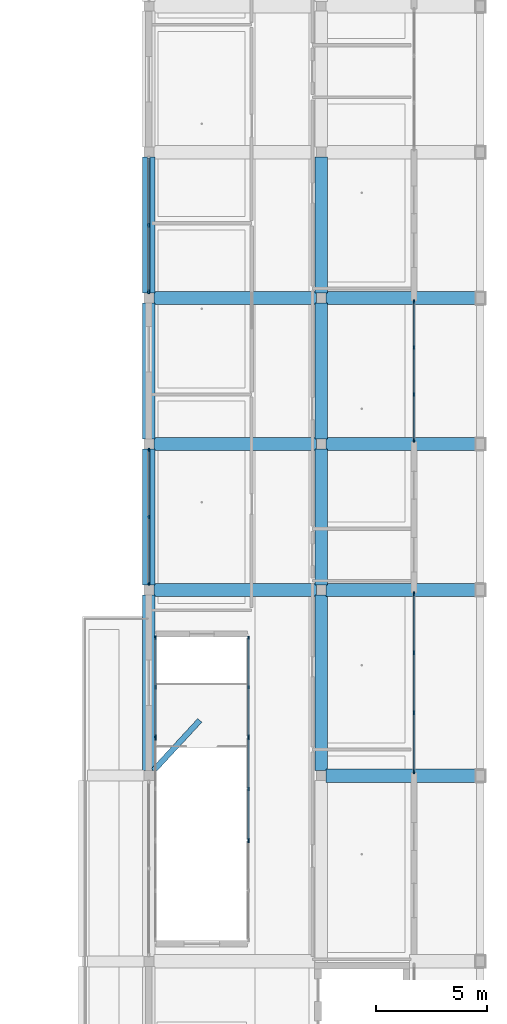
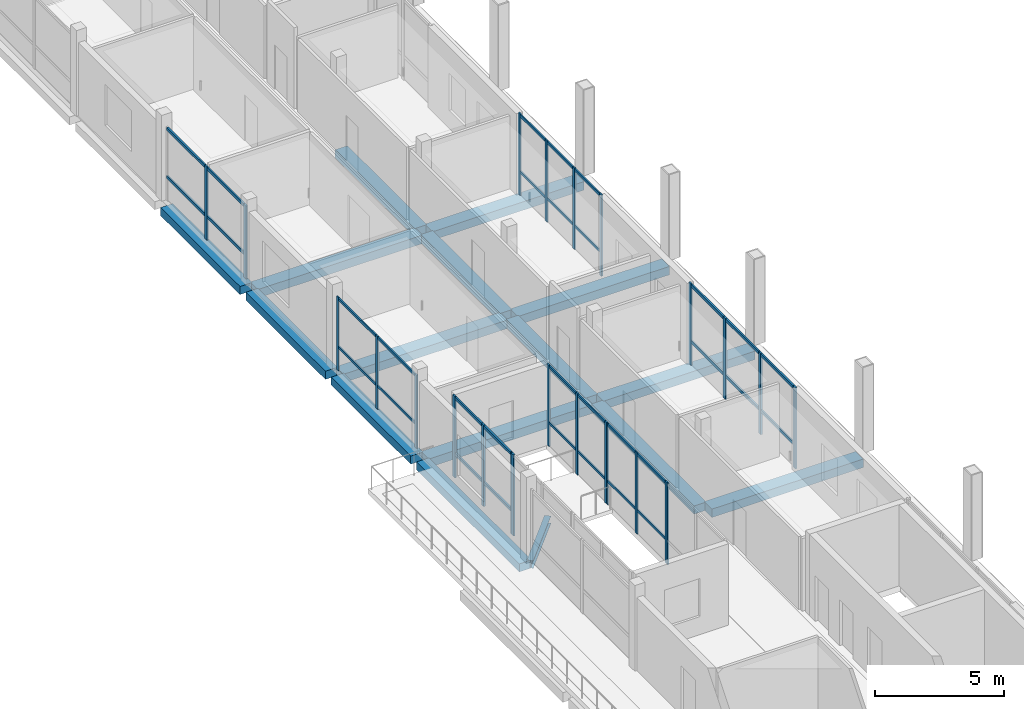
# One storey, part 13 of 48: 38 members, 16 beams, 9 elements without a shape of their own.
"""IFC4 building model written with IfcOpenShell, lengths in metres."""

from ifc_helpers import new_model, si_unit, derived_unit, direction, frame, origin, origin_2d, place, context, subcontext, project, spatial, rectangle, i_section, extrude, material, material_profile, profile_set, type_object, element, aggregate, save


model = new_model("IFC4")

# Units and contexts
model_context = context("Model", 3, precision=1e-05, world=origin(), true_north=direction((0.0, 1.0)))
body_context = subcontext(model_context, "Body", "Model", "MODEL_VIEW")
ifc_project = project(units=[si_unit("LENGTHUNIT", "METRE"), si_unit("AREAUNIT", "SQUARE_METRE"), si_unit("VOLUMEUNIT", "CUBIC_METRE"), si_unit("PLANEANGLEUNIT", "RADIAN"), si_unit("MASSUNIT", "GRAM", prefix="KILO"), derived_unit("THERMALTRANSMITTANCEUNIT", [(si_unit("POWERUNIT", "WATT"), 1), (si_unit("LENGTHUNIT", "METRE"), -2), (si_unit("THERMODYNAMICTEMPERATUREUNIT", "KELVIN"), -1)])], contexts=[model_context])

# Site, building, storey
site_placement = place(None, origin())
site = spatial("IfcSite", under=ifc_project, at=site_placement, CompositionType="ELEMENT")
building_placement = place(site_placement, origin())
building = spatial("IfcBuilding", under=site, at=building_placement, Name="Braskholm Square Health Centre", CompositionType="ELEMENT")
storey_placement = place(building_placement, frame((0.0, 0.0, 17.550048828125)))
storey = spatial("IfcBuildingStorey", under=building, at=storey_placement, Name="L05", CompositionType="ELEMENT", Elevation=17.550048828125)

# Curtain wall, members
ifc_material_1 = material(Name="Low-E triple insulating glass (VLT 0.64)", Category="glass")
curtain_wall_type_1 = type_object("IfcCurtainWallType", Name="UnitisedCurtainWall6200x3800", PredefinedType="NOTDEFINED", material=ifc_material_1)
curtain_wall_1_placement = place(storey_placement, origin())
curtain_wall_1 = element("IfcCurtainWall", 1, at=curtain_wall_1_placement, inside=storey, type_object=curtain_wall_type_1, Name="East Crown unitised curtain wall CW-L05-0082", PredefinedType="NOTDEFINED")
ifc_material_2 = material(Name="Architectural bronze anodised aluminium", Category="aluminium")
ifc_material_profile_1 = material_profile(ifc_material_2, rectangle(XDim=0.06494140625, YDim=0.14990234375, at=origin_2d()), Name="ALU-65X150")
ifc_profile_set_1 = profile_set([ifc_material_profile_1], Name="Architectural bronze anodised aluminium")
member_type_1 = type_object("IfcMemberType", Name="CurtainWallMullion65x150", PredefinedType="MULLION", material=ifc_profile_set_1)
member_1_placement = place(storey_placement, frame((160.800048828125, 87.358154296875, 0.0), z_axis=(0.0, 0.0, 1.0), x_axis=(1.0, 0.0, 0.0)))
member_1 = element("IfcMember", 2, at=member_1_placement, type_object=member_type_1, Name="CW-L05-0082 vertical mullion 1", PredefinedType="MULLION", context=body_context, shape_type="SweptSolid", body=[
    extrude(rectangle(XDim=0.06494140625, YDim=0.14990234375, at=origin_2d()), origin(), (0.0, 0.0, 1.0), 3.83984375),
])
member_2_placement = place(storey_placement, frame((160.800048828125, 89.43994140625, 0.0), z_axis=(0.0, 0.0, 1.0), x_axis=(1.0, 0.0, 0.0)))
member_2 = element("IfcMember", 3, at=member_2_placement, type_object=member_type_1, Name="CW-L05-0082 vertical mullion 2", PredefinedType="MULLION", context=body_context, shape_type="SweptSolid", body=[
    extrude(rectangle(XDim=0.06494140625, YDim=0.14990234375, at=origin_2d()), origin(), (0.0, 0.0, 1.0), 3.83984375),
])
member_3_placement = place(storey_placement, frame((160.800048828125, 91.56005859375, 0.0), z_axis=(0.0, 0.0, 1.0), x_axis=(1.0, 0.0, 0.0)))
member_3 = element("IfcMember", 4, at=member_3_placement, type_object=member_type_1, Name="CW-L05-0082 vertical mullion 3", PredefinedType="MULLION", context=body_context, shape_type="SweptSolid", body=[
    extrude(rectangle(XDim=0.06494140625, YDim=0.14990234375, at=origin_2d()), origin(), (0.0, 0.0, 1.0), 3.83984375),
])
member_4_placement = place(storey_placement, frame((160.800048828125, 93.641845703125, 0.0), z_axis=(0.0, 0.0, 1.0), x_axis=(1.0, 0.0, 0.0)))
member_4 = element("IfcMember", 5, at=member_4_placement, type_object=member_type_1, Name="CW-L05-0082 vertical mullion 4", PredefinedType="MULLION", context=body_context, shape_type="SweptSolid", body=[
    extrude(rectangle(XDim=0.06494140625, YDim=0.14990234375, at=origin_2d()), origin(), (0.0, 0.0, 1.0), 3.83984375),
])

curtain_wall_type_2 = type_object("IfcCurtainWallType", Name="UnitisedCurtainWall6200x3650", PredefinedType="NOTDEFINED", material=ifc_material_1)
curtain_wall_2_placement = place(storey_placement, origin())
curtain_wall_2 = element("IfcCurtainWall", 6, at=curtain_wall_2_placement, inside=storey, type_object=curtain_wall_type_2, Name="East Valley unitised curtain wall CW-L05-0142", PredefinedType="NOTDEFINED")
member_5_placement = place(storey_placement, frame((148.800048828125, 86.92333984375, 0.0), z_axis=(0.0, 0.0, 1.0), x_axis=(1.0, 0.0, 0.0)))
member_5 = element("IfcMember", 7, at=member_5_placement, type_object=member_type_1, Name="CW-L05-0142 vertical mullion 1", PredefinedType="MULLION", context=body_context, shape_type="SweptSolid", body=[
    extrude(rectangle(XDim=0.06494140625, YDim=0.14990234375, at=origin_2d()), origin(), (0.0, 0.0, 1.0), 3.4599609375),
])
member_6_placement = place(storey_placement, frame((148.800048828125, 83.89990234375, 0.0), z_axis=(0.0, 0.0, 1.0), x_axis=(1.0, 0.0, 0.0)))
member_6 = element("IfcMember", 8, at=member_6_placement, type_object=member_type_1, Name="CW-L05-0142 vertical mullion 2", PredefinedType="MULLION", context=body_context, shape_type="SweptSolid", body=[
    extrude(rectangle(XDim=0.06494140625, YDim=0.14990234375, at=origin_2d()), origin(), (0.0, 0.0, 1.0), 3.4599609375),
])
member_7_placement = place(storey_placement, frame((148.800048828125, 80.876708984375, 0.0), z_axis=(0.0, 0.0, 1.0), x_axis=(1.0, 0.0, 0.0)))
member_7 = element("IfcMember", 9, at=member_7_placement, type_object=member_type_1, Name="CW-L05-0142 vertical mullion 3", PredefinedType="MULLION", context=body_context, shape_type="SweptSolid", body=[
    extrude(rectangle(XDim=0.06494140625, YDim=0.14990234375, at=origin_2d()), origin(), (0.0, 0.0, 1.0), 3.4599609375),
])

# Curtain wall, member
curtain_wall_type_3 = type_object("IfcCurtainWallType", Name="UnitisedCurtainWall4800x3800", PredefinedType="NOTDEFINED", material=ifc_material_1)
curtain_wall_3_placement = place(storey_placement, origin())
curtain_wall_3 = element("IfcCurtainWall", 10, at=curtain_wall_3_placement, inside=storey, type_object=curtain_wall_type_3, Name="EC2 Court E unitised curtain wall CW-L05-0376", PredefinedType="NOTDEFINED")
member_8_placement = place(storey_placement, frame((153.300048828125, 69.23486328125, 0.0), z_axis=(0.0, 0.0, 1.0), x_axis=(1.0, 0.0, 0.0)))
member_8 = element("IfcMember", 11, at=member_8_placement, type_object=member_type_1, Name="CW-L05-0376 vertical mullion 1", PredefinedType="MULLION", context=body_context, shape_type="SweptSolid", body=[
    extrude(rectangle(XDim=0.06494140625, YDim=0.14990234375, at=origin_2d()), origin(), (0.0, 0.0, 1.0), 3.83984375),
])
aggregate(curtain_wall_3, [member_8])

# Curtain wall, members
curtain_wall_4_placement = place(storey_placement, origin())
curtain_wall_4 = element("IfcCurtainWall", 12, at=curtain_wall_4_placement, inside=storey, type_object=curtain_wall_type_3, Name="EC2 Court E unitised curtain wall CW-L05-0378", PredefinedType="NOTDEFINED")
member_9_placement = place(storey_placement, frame((153.300048828125, 73.900146484375, 0.0), z_axis=(0.0, 0.0, 1.0), x_axis=(1.0, 0.0, 0.0)))
member_9 = element("IfcMember", 13, at=member_9_placement, type_object=member_type_1, Name="CW-L05-0378 vertical mullion 1", PredefinedType="MULLION", context=body_context, shape_type="SweptSolid", body=[
    extrude(rectangle(XDim=0.06494140625, YDim=0.14990234375, at=origin_2d()), origin(), (0.0, 0.0, 1.0), 3.83984375),
])
member_10_placement = place(storey_placement, frame((153.300048828125, 71.60009765625, 0.0), z_axis=(0.0, 0.0, 1.0), x_axis=(1.0, 0.0, 0.0)))
member_10 = element("IfcMember", 14, at=member_10_placement, type_object=member_type_1, Name="CW-L05-0378 vertical mullion 2", PredefinedType="MULLION", context=body_context, shape_type="SweptSolid", body=[
    extrude(rectangle(XDim=0.06494140625, YDim=0.14990234375, at=origin_2d()), origin(), (0.0, 0.0, 1.0), 3.83984375),
])
member_11_placement = place(storey_placement, frame((153.300048828125, 69.2998046875, 0.0), z_axis=(0.0, 0.0, 1.0), x_axis=(1.0, 0.0, 0.0)))
member_11 = element("IfcMember", 15, at=member_11_placement, type_object=member_type_1, Name="CW-L05-0378 vertical mullion 3", PredefinedType="MULLION", context=body_context, shape_type="SweptSolid", body=[
    extrude(rectangle(XDim=0.06494140625, YDim=0.14990234375, at=origin_2d()), origin(), (0.0, 0.0, 1.0), 3.83984375),
])

curtain_wall_5_placement = place(storey_placement, origin())
curtain_wall_5 = element("IfcCurtainWall", 16, at=curtain_wall_5_placement, inside=storey, type_object=curtain_wall_type_3, Name="EC2 Court E unitised curtain wall CW-L05-0380", PredefinedType="NOTDEFINED")
member_12_placement = place(storey_placement, frame((153.300048828125, 78.432861328125, 0.0), z_axis=(0.0, 0.0, 1.0), x_axis=(1.0, 0.0, 0.0)))
member_12 = element("IfcMember", 17, at=member_12_placement, type_object=member_type_1, Name="CW-L05-0380 vertical mullion 1", PredefinedType="MULLION", context=body_context, shape_type="SweptSolid", body=[
    extrude(rectangle(XDim=0.06494140625, YDim=0.14990234375, at=origin_2d()), origin(), (0.0, 0.0, 1.0), 3.83984375),
])
member_13_placement = place(storey_placement, frame((153.300048828125, 76.198974609375, 0.0), z_axis=(0.0, 0.0, 1.0), x_axis=(1.0, 0.0, 0.0)))
member_13 = element("IfcMember", 18, at=member_13_placement, type_object=member_type_1, Name="CW-L05-0380 vertical mullion 2", PredefinedType="MULLION", context=body_context, shape_type="SweptSolid", body=[
    extrude(rectangle(XDim=0.06494140625, YDim=0.14990234375, at=origin_2d()), origin(), (0.0, 0.0, 1.0), 3.83984375),
])
member_14_placement = place(storey_placement, frame((153.300048828125, 73.965087890625, 0.0), z_axis=(0.0, 0.0, 1.0), x_axis=(1.0, 0.0, 0.0)))
member_14 = element("IfcMember", 19, at=member_14_placement, type_object=member_type_1, Name="CW-L05-0380 vertical mullion 3", PredefinedType="MULLION", context=body_context, shape_type="SweptSolid", body=[
    extrude(rectangle(XDim=0.06494140625, YDim=0.14990234375, at=origin_2d()), origin(), (0.0, 0.0, 1.0), 3.83984375),
])

curtain_wall_6_placement = place(storey_placement, origin())
curtain_wall_6 = element("IfcCurtainWall", 20, at=curtain_wall_6_placement, inside=storey, type_object=curtain_wall_type_1, Name="East Crown unitised curtain wall CW-L05-0081", PredefinedType="NOTDEFINED")
ifc_material_profile_2 = material_profile(ifc_material_2, rectangle(XDim=0.074951171875, YDim=0.179931640625, at=origin_2d()), Name="ALU-75X180")
ifc_profile_set_2 = profile_set([ifc_material_profile_2], Name="Architectural bronze anodised aluminium")
member_type_2 = type_object("IfcMemberType", Name="CurtainWallMullion75x180", PredefinedType="MULLION", material=ifc_profile_set_2)
member_15_placement = place(storey_placement, frame((160.800048828125, 72.368896484375, 0.0), z_axis=(0.0, 0.0, 1.0), x_axis=(1.0, 0.0, 0.0)))
member_15 = element("IfcMember", 21, at=member_15_placement, type_object=member_type_2, Name="CW-L05-0081 vertical mullion 1", PredefinedType="MULLION", context=body_context, shape_type="SweptSolid", body=[
    extrude(rectangle(XDim=0.074951171875, YDim=0.179931640625, at=origin_2d()), origin(), (0.0, 0.0, 1.0), 3.83984375),
])
member_16_placement = place(storey_placement, frame((160.800048828125, 75.0400390625, 0.0), z_axis=(0.0, 0.0, 1.0), x_axis=(1.0, 0.0, 0.0)))
member_16 = element("IfcMember", 22, at=member_16_placement, type_object=member_type_2, Name="CW-L05-0081 vertical mullion 2", PredefinedType="MULLION", context=body_context, shape_type="SweptSolid", body=[
    extrude(rectangle(XDim=0.074951171875, YDim=0.179931640625, at=origin_2d()), origin(), (0.0, 0.0, 1.0), 3.83984375),
])
member_17_placement = place(storey_placement, frame((160.800048828125, 77.760009765625, 0.0), z_axis=(0.0, 0.0, 1.0), x_axis=(1.0, 0.0, 0.0)))
member_17 = element("IfcMember", 23, at=member_17_placement, type_object=member_type_2, Name="CW-L05-0081 vertical mullion 3", PredefinedType="MULLION", context=body_context, shape_type="SweptSolid", body=[
    extrude(rectangle(XDim=0.074951171875, YDim=0.179931640625, at=origin_2d()), origin(), (0.0, 0.0, 1.0), 3.83984375),
])
member_18_placement = place(storey_placement, frame((160.800048828125, 80.430908203125, 0.0), z_axis=(0.0, 0.0, 1.0), x_axis=(1.0, 0.0, 0.0)))
member_18 = element("IfcMember", 24, at=member_18_placement, type_object=member_type_2, Name="CW-L05-0081 vertical mullion 4", PredefinedType="MULLION", context=body_context, shape_type="SweptSolid", body=[
    extrude(rectangle(XDim=0.074951171875, YDim=0.179931640625, at=origin_2d()), origin(), (0.0, 0.0, 1.0), 3.83984375),
])

curtain_wall_7_placement = place(storey_placement, origin())
curtain_wall_7 = element("IfcCurtainWall", 25, at=curtain_wall_7_placement, inside=storey, type_object=curtain_wall_type_2, Name="East Valley unitised curtain wall CW-L05-0143", PredefinedType="NOTDEFINED")
member_19_placement = place(storey_placement, frame((148.800048828125, 97.10009765625, 0.0), z_axis=(0.0, 0.0, 1.0), x_axis=(1.0, 0.0, 0.0)))
member_19 = element("IfcMember", 26, at=member_19_placement, type_object=member_type_2, Name="CW-L05-0143 vertical mullion 2", PredefinedType="MULLION", context=body_context, shape_type="SweptSolid", body=[
    extrude(rectangle(XDim=0.074951171875, YDim=0.179931640625, at=origin_2d()), origin(), (0.0, 0.0, 1.0), 3.4599609375),
])
member_20_placement = place(storey_placement, frame((148.800048828125, 94.07666015625, 0.0), z_axis=(0.0, 0.0, 1.0), x_axis=(1.0, 0.0, 0.0)))
member_20 = element("IfcMember", 27, at=member_20_placement, type_object=member_type_2, Name="CW-L05-0143 vertical mullion 3", PredefinedType="MULLION", context=body_context, shape_type="SweptSolid", body=[
    extrude(rectangle(XDim=0.074951171875, YDim=0.179931640625, at=origin_2d()), origin(), (0.0, 0.0, 1.0), 3.4599609375),
])

# Curtain wall, member
curtain_wall_8_placement = place(storey_placement, origin())
curtain_wall_8 = element("IfcCurtainWall", 28, at=curtain_wall_8_placement, inside=storey, type_object=curtain_wall_type_3, Name="EC2 Court W unitised curtain wall CW-L05-0377", PredefinedType="NOTDEFINED")
member_21_placement = place(storey_placement, frame((149.10009765625, 73.900146484375, 0.0), z_axis=(0.0, 0.0, 1.0), x_axis=(1.0, 0.0, 0.0)))
member_21 = element("IfcMember", 29, at=member_21_placement, type_object=member_type_2, Name="CW-L05-0377 vertical mullion 3", PredefinedType="MULLION", context=body_context, shape_type="SweptSolid", body=[
    extrude(rectangle(XDim=0.074951171875, YDim=0.179931640625, at=origin_2d()), origin(), (0.0, 0.0, 1.0), 3.83984375),
])
aggregate(curtain_wall_8, [member_21])

# Curtain wall, members
curtain_wall_9_placement = place(storey_placement, origin())
curtain_wall_9 = element("IfcCurtainWall", 30, at=curtain_wall_9_placement, inside=storey, type_object=curtain_wall_type_3, Name="EC2 Court W unitised curtain wall CW-L05-0379", PredefinedType="NOTDEFINED")
member_22_placement = place(storey_placement, frame((149.10009765625, 73.965087890625, 0.0), z_axis=(0.0, 0.0, 1.0), x_axis=(1.0, 0.0, 0.0)))
member_22 = element("IfcMember", 31, at=member_22_placement, type_object=member_type_2, Name="CW-L05-0379 vertical mullion 1", PredefinedType="MULLION", context=body_context, shape_type="SweptSolid", body=[
    extrude(rectangle(XDim=0.074951171875, YDim=0.179931640625, at=origin_2d()), origin(), (0.0, 0.0, 1.0), 3.83984375),
])
member_23_placement = place(storey_placement, frame((149.10009765625, 76.198974609375, 0.0), z_axis=(0.0, 0.0, 1.0), x_axis=(1.0, 0.0, 0.0)))
member_23 = element("IfcMember", 32, at=member_23_placement, type_object=member_type_2, Name="CW-L05-0379 vertical mullion 2", PredefinedType="MULLION", context=body_context, shape_type="SweptSolid", body=[
    extrude(rectangle(XDim=0.074951171875, YDim=0.179931640625, at=origin_2d()), origin(), (0.0, 0.0, 1.0), 3.83984375),
])
member_24_placement = place(storey_placement, frame((149.10009765625, 78.432861328125, 0.0), z_axis=(0.0, 0.0, 1.0), x_axis=(1.0, 0.0, 0.0)))
member_24 = element("IfcMember", 33, at=member_24_placement, type_object=member_type_2, Name="CW-L05-0379 vertical mullion 3", PredefinedType="MULLION", context=body_context, shape_type="SweptSolid", body=[
    extrude(rectangle(XDim=0.074951171875, YDim=0.179931640625, at=origin_2d()), origin(), (0.0, 0.0, 1.0), 3.83984375),
])

# Member
ifc_material_profile_3 = material_profile(ifc_material_2, rectangle(XDim=0.06494140625, YDim=0.1201171875, at=origin_2d()), Name="ALU-65X120")
ifc_profile_set_3 = profile_set([ifc_material_profile_3], Name="Architectural bronze anodised aluminium")
member_type_3 = type_object("IfcMemberType", Name="CurtainWallTransom65x120", PredefinedType="USERDEFINED", material=ifc_profile_set_3)
member_25_placement = place(storey_placement, frame((160.800048828125, 87.364990234375, 1.119873046875), z_axis=(0.0, 1.0, 0.0), x_axis=(-1.0, 0.0, 0.0)))
member_25 = element("IfcMember", 34, at=member_25_placement, type_object=member_type_3, Name="CW-L05-0082 horizontal transom 1", ObjectType="TRANSOM", PredefinedType="USERDEFINED", context=body_context, shape_type="SweptSolid", body=[
    extrude(rectangle(XDim=0.06494140625, YDim=0.1201171875, at=origin_2d()), origin(), (0.0, 0.0, 1.0), 6.27001953125),
])

member_26_placement = place(storey_placement, frame((160.800048828125, 87.364990234375, 3.77001953125), z_axis=(0.0, 1.0, 0.0), x_axis=(-1.0, 0.0, 0.0)))
member_26 = element("IfcMember", 35, at=member_26_placement, type_object=member_type_3, Name="CW-L05-0082 horizontal transom 2", ObjectType="TRANSOM", PredefinedType="USERDEFINED", context=body_context, shape_type="SweptSolid", body=[
    extrude(rectangle(XDim=0.06494140625, YDim=0.1201171875, at=origin_2d()), origin(), (0.0, 0.0, 1.0), 6.27001953125),
])

aggregate(curtain_wall_1, [member_1, member_2, member_3, member_4, member_25, member_26])

member_27_placement = place(storey_placement, frame((148.800048828125, 86.9150390625, 1.119873046875), z_axis=(0.0, -1.0, 0.0), x_axis=(1.0, 0.0, 0.0)))
member_27 = element("IfcMember", 36, at=member_27_placement, type_object=member_type_3, Name="CW-L05-0142 horizontal transom 1", ObjectType="TRANSOM", PredefinedType="USERDEFINED", context=body_context, shape_type="SweptSolid", body=[
    extrude(rectangle(XDim=0.06494140625, YDim=0.1201171875, at=origin_2d()), origin(), (0.0, 0.0, 1.0), 6.030029296875),
])

member_28_placement = place(storey_placement, frame((148.800048828125, 86.9150390625, 3.389892578125), z_axis=(0.0, -1.0, 0.0), x_axis=(1.0, 0.0, 0.0)))
member_28 = element("IfcMember", 37, at=member_28_placement, type_object=member_type_3, Name="CW-L05-0142 horizontal transom 2", ObjectType="TRANSOM", PredefinedType="USERDEFINED", context=body_context, shape_type="SweptSolid", body=[
    extrude(rectangle(XDim=0.06494140625, YDim=0.1201171875, at=origin_2d()), origin(), (0.0, 0.0, 1.0), 6.030029296875),
])

aggregate(curtain_wall_2, [member_5, member_6, member_7, member_27, member_28])

member_29_placement = place(storey_placement, frame((153.300048828125, 73.883056640625, 1.119873046875), z_axis=(0.0, -1.0, 0.0), x_axis=(1.0, 0.0, 0.0)))
member_29 = element("IfcMember", 38, at=member_29_placement, type_object=member_type_3, Name="CW-L05-0378 horizontal transom 1", ObjectType="TRANSOM", PredefinedType="USERDEFINED", context=body_context, shape_type="SweptSolid", body=[
    extrude(rectangle(XDim=0.06494140625, YDim=0.1201171875, at=origin_2d()), origin(), (0.0, 0.0, 1.0), 4.566162109375),
])

member_30_placement = place(storey_placement, frame((153.300048828125, 73.883056640625, 3.77001953125), z_axis=(0.0, -1.0, 0.0), x_axis=(1.0, 0.0, 0.0)))
member_30 = element("IfcMember", 39, at=member_30_placement, type_object=member_type_3, Name="CW-L05-0378 horizontal transom 2", ObjectType="TRANSOM", PredefinedType="USERDEFINED", context=body_context, shape_type="SweptSolid", body=[
    extrude(rectangle(XDim=0.06494140625, YDim=0.1201171875, at=origin_2d()), origin(), (0.0, 0.0, 1.0), 4.566162109375),
])

aggregate(curtain_wall_4, [member_9, member_10, member_11, member_29, member_30])

member_31_placement = place(storey_placement, frame((153.300048828125, 78.4150390625, 1.119873046875), z_axis=(0.0, -1.0, 0.0), x_axis=(1.0, 0.0, 0.0)))
member_31 = element("IfcMember", 40, at=member_31_placement, type_object=member_type_3, Name="CW-L05-0380 horizontal transom 1", ObjectType="TRANSOM", PredefinedType="USERDEFINED", context=body_context, shape_type="SweptSolid", body=[
    extrude(rectangle(XDim=0.06494140625, YDim=0.1201171875, at=origin_2d()), origin(), (0.0, 0.0, 1.0), 4.43212890625),
])

member_32_placement = place(storey_placement, frame((153.300048828125, 78.4150390625, 3.77001953125), z_axis=(0.0, -1.0, 0.0), x_axis=(1.0, 0.0, 0.0)))
member_32 = element("IfcMember", 41, at=member_32_placement, type_object=member_type_3, Name="CW-L05-0380 horizontal transom 2", ObjectType="TRANSOM", PredefinedType="USERDEFINED", context=body_context, shape_type="SweptSolid", body=[
    extrude(rectangle(XDim=0.06494140625, YDim=0.1201171875, at=origin_2d()), origin(), (0.0, 0.0, 1.0), 4.43212890625),
])

aggregate(curtain_wall_5, [member_12, member_13, member_14, member_31, member_32])

ifc_material_profile_4 = material_profile(ifc_material_2, rectangle(XDim=0.074951171875, YDim=0.139892578125, at=origin_2d()), Name="ALU-75X140")
ifc_profile_set_4 = profile_set([ifc_material_profile_4], Name="Architectural bronze anodised aluminium")
member_type_4 = type_object("IfcMemberType", Name="CurtainWallTransom75x140", PredefinedType="USERDEFINED", material=ifc_profile_set_4)
member_33_placement = place(storey_placement, frame((160.800048828125, 72.364990234375, 1.119873046875), z_axis=(0.0, 1.0, 0.0), x_axis=(-1.0, 0.0, 0.0)))
member_33 = element("IfcMember", 42, at=member_33_placement, type_object=member_type_4, Name="CW-L05-0081 horizontal transom 1", ObjectType="TRANSOM", PredefinedType="USERDEFINED", context=body_context, shape_type="SweptSolid", body=[
    extrude(rectangle(XDim=0.074951171875, YDim=0.139892578125, at=origin_2d()), origin(), (0.0, 0.0, 1.0), 8.070068359375),
])

member_34_placement = place(storey_placement, frame((160.800048828125, 72.364990234375, 3.77001953125), z_axis=(0.0, 1.0, 0.0), x_axis=(-1.0, 0.0, 0.0)))
member_34 = element("IfcMember", 43, at=member_34_placement, type_object=member_type_4, Name="CW-L05-0081 horizontal transom 2", ObjectType="TRANSOM", PredefinedType="USERDEFINED", context=body_context, shape_type="SweptSolid", body=[
    extrude(rectangle(XDim=0.074951171875, YDim=0.139892578125, at=origin_2d()), origin(), (0.0, 0.0, 1.0), 8.070068359375),
])

aggregate(curtain_wall_6, [member_15, member_16, member_17, member_18, member_33, member_34])

member_35_placement = place(storey_placement, frame((148.800048828125, 100.114990234375, 1.119873046875), z_axis=(0.0, -1.0, 0.0), x_axis=(1.0, 0.0, 0.0)))
member_35 = element("IfcMember", 44, at=member_35_placement, type_object=member_type_4, Name="CW-L05-0143 horizontal transom 1", ObjectType="TRANSOM", PredefinedType="USERDEFINED", context=body_context, shape_type="SweptSolid", body=[
    extrude(rectangle(XDim=0.074951171875, YDim=0.139892578125, at=origin_2d()), origin(), (0.0, 0.0, 1.0), 6.030029296875),
])

member_36_placement = place(storey_placement, frame((148.800048828125, 100.114990234375, 3.389892578125), z_axis=(0.0, -1.0, 0.0), x_axis=(1.0, 0.0, 0.0)))
member_36 = element("IfcMember", 45, at=member_36_placement, type_object=member_type_4, Name="CW-L05-0143 horizontal transom 2", ObjectType="TRANSOM", PredefinedType="USERDEFINED", context=body_context, shape_type="SweptSolid", body=[
    extrude(rectangle(XDim=0.074951171875, YDim=0.139892578125, at=origin_2d()), origin(), (0.0, 0.0, 1.0), 6.030029296875),
])

aggregate(curtain_wall_7, [member_19, member_20, member_35, member_36])

member_37_placement = place(storey_placement, frame((149.10009765625, 73.98291015625, 1.119873046875), z_axis=(0.0, 1.0, 0.0), x_axis=(-1.0, 0.0, 0.0)))
member_37 = element("IfcMember", 46, at=member_37_placement, type_object=member_type_4, Name="CW-L05-0379 horizontal transom 1", ObjectType="TRANSOM", PredefinedType="USERDEFINED", context=body_context, shape_type="SweptSolid", body=[
    extrude(rectangle(XDim=0.074951171875, YDim=0.139892578125, at=origin_2d()), origin(), (0.0, 0.0, 1.0), 4.43212890625),
])

member_38_placement = place(storey_placement, frame((149.10009765625, 73.98291015625, 3.77001953125), z_axis=(0.0, 1.0, 0.0), x_axis=(-1.0, 0.0, 0.0)))
member_38 = element("IfcMember", 47, at=member_38_placement, type_object=member_type_4, Name="CW-L05-0379 horizontal transom 2", ObjectType="TRANSOM", PredefinedType="USERDEFINED", context=body_context, shape_type="SweptSolid", body=[
    extrude(rectangle(XDim=0.074951171875, YDim=0.139892578125, at=origin_2d()), origin(), (0.0, 0.0, 1.0), 4.43212890625),
])

aggregate(curtain_wall_9, [member_22, member_23, member_24, member_37, member_38])

# Beams
ifc_material_3 = material(Name="Concrete C35/45 (f'c = 35 MPa)", Category="concrete")
ifc_material_profile_5 = material_profile(ifc_material_3, rectangle(XDim=0.550048828125, YDim=0.3798828125, at=origin_2d()), Name="RCB-550X380")
ifc_profile_set_5 = profile_set([ifc_material_profile_5], Name="Concrete C35/45 (f'c = 35 MPa)")
beam_type_1 = type_object("IfcBeamType", Name="PrimaryBandBeam550x380", PredefinedType="BEAM", material=ifc_profile_set_5)
beam_1_placement = place(storey_placement, frame((148.800048828125, 72.425048828125, -0.469970703125), z_axis=(0.0, 1.0, 0.0), x_axis=(-1.0, 0.0, 0.0)))
element("IfcBeam", 48, at=beam_1_placement, inside=storey, type_object=beam_type_1, Name="Beam 20/L-M L05", PredefinedType="BEAM", context=body_context, shape_type="SweptSolid", body=[
    extrude(rectangle(XDim=0.550048828125, YDim=0.3798828125, at=origin_2d()), origin(), (0.0, 0.0, 1.0), 7.949951171875),
])
beam_2_placement = place(storey_placement, frame((148.800048828125, 80.824951171875, -0.469970703125), z_axis=(0.0, 1.0, 0.0), x_axis=(-1.0, 0.0, 0.0)))
element("IfcBeam", 49, at=beam_2_placement, inside=storey, type_object=beam_type_1, Name="Beam 20/M-N L05", PredefinedType="BEAM", context=body_context, shape_type="SweptSolid", body=[
    extrude(rectangle(XDim=0.550048828125, YDim=0.3798828125, at=origin_2d()), origin(), (0.0, 0.0, 1.0), 6.150146484375),
])
beam_3_placement = place(storey_placement, frame((148.800048828125, 87.425048828125, -0.469970703125), z_axis=(0.0, 1.0, 0.0), x_axis=(-1.0, 0.0, 0.0)))
element("IfcBeam", 50, at=beam_3_placement, inside=storey, type_object=beam_type_1, Name="Beam 20/N-P L05", PredefinedType="BEAM", context=body_context, shape_type="SweptSolid", body=[
    extrude(rectangle(XDim=0.550048828125, YDim=0.3798828125, at=origin_2d()), origin(), (0.0, 0.0, 1.0), 6.14990234375),
])
beam_4_placement = place(storey_placement, frame((148.800048828125, 94.02490234375, -0.469970703125), z_axis=(0.0, 1.0, 0.0), x_axis=(-1.0, 0.0, 0.0)))
element("IfcBeam", 51, at=beam_4_placement, inside=storey, type_object=beam_type_1, Name="Beam 20/P-Q L05", PredefinedType="BEAM", context=body_context, shape_type="SweptSolid", body=[
    extrude(rectangle(XDim=0.550048828125, YDim=0.3798828125, at=origin_2d()), origin(), (0.0, 0.0, 1.0), 6.150146484375),
])
beam_5_placement = place(storey_placement, frame((156.60009765625, 72.425048828125, -0.469970703125), z_axis=(0.0, 1.0, 0.0), x_axis=(-1.0, 0.0, 0.0)))
element("IfcBeam", 52, at=beam_5_placement, inside=storey, type_object=beam_type_1, Name="Beam 21/L-M L05", PredefinedType="BEAM", context=body_context, shape_type="SweptSolid", body=[
    extrude(rectangle(XDim=0.550048828125, YDim=0.3798828125, at=origin_2d()), origin(), (0.0, 0.0, 1.0), 7.949951171875),
])
beam_6_placement = place(storey_placement, frame((156.60009765625, 80.824951171875, -0.469970703125), z_axis=(0.0, 1.0, 0.0), x_axis=(-1.0, 0.0, 0.0)))
element("IfcBeam", 53, at=beam_6_placement, inside=storey, type_object=beam_type_1, Name="Beam 21/M-N L05", PredefinedType="BEAM", context=body_context, shape_type="SweptSolid", body=[
    extrude(rectangle(XDim=0.550048828125, YDim=0.3798828125, at=origin_2d()), origin(), (0.0, 0.0, 1.0), 6.150146484375),
])
beam_7_placement = place(storey_placement, frame((156.60009765625, 87.425048828125, -0.469970703125), z_axis=(0.0, 1.0, 0.0), x_axis=(-1.0, 0.0, 0.0)))
element("IfcBeam", 54, at=beam_7_placement, inside=storey, type_object=beam_type_1, Name="Beam 21/N-P L05", PredefinedType="BEAM", context=body_context, shape_type="SweptSolid", body=[
    extrude(rectangle(XDim=0.550048828125, YDim=0.3798828125, at=origin_2d()), origin(), (0.0, 0.0, 1.0), 6.14990234375),
])
beam_8_placement = place(storey_placement, frame((156.60009765625, 94.02490234375, -0.469970703125), z_axis=(0.0, 1.0, 0.0), x_axis=(-1.0, 0.0, 0.0)))
element("IfcBeam", 55, at=beam_8_placement, inside=storey, type_object=beam_type_1, Name="Beam 21/P-Q L05", PredefinedType="BEAM", context=body_context, shape_type="SweptSolid", body=[
    extrude(rectangle(XDim=0.550048828125, YDim=0.3798828125, at=origin_2d()), origin(), (0.0, 0.0, 1.0), 6.150146484375),
])
ifc_material_profile_6 = material_profile(ifc_material_3, rectangle(XDim=0.60009765625, YDim=0.39990234375, at=origin_2d()), Name="RCB-600X400")
ifc_profile_set_6 = profile_set([ifc_material_profile_6], Name="Concrete C35/45 (f'c = 35 MPa)")
beam_type_2 = type_object("IfcBeamType", Name="PrimaryBandBeam600x400", PredefinedType="BEAM", material=ifc_profile_set_6)
beam_9_placement = place(storey_placement, frame((156.824951171875, 72.199951171875, -0.47998046875), z_axis=(1.0, 0.0, 0.0), x_axis=(0.0, 1.0, 0.0)))
element("IfcBeam", 56, at=beam_9_placement, inside=storey, type_object=beam_type_2, Name="Beam 21-22/L L05", PredefinedType="BEAM", context=body_context, shape_type="SweptSolid", body=[
    extrude(rectangle(XDim=0.60009765625, YDim=0.39990234375, at=origin_2d()), origin(), (0.0, 0.0, 1.0), 6.76513671875),
])
beam_10_placement = place(storey_placement, frame((149.02490234375, 80.60009765625, -0.47998046875), z_axis=(1.0, 0.0, 0.0), x_axis=(0.0, 1.0, 0.0)))
element("IfcBeam", 57, at=beam_10_placement, inside=storey, type_object=beam_type_2, Name="Beam 20-21/M L05", PredefinedType="BEAM", context=body_context, shape_type="SweptSolid", body=[
    extrude(rectangle(XDim=0.60009765625, YDim=0.39990234375, at=origin_2d()), origin(), (0.0, 0.0, 1.0), 7.35009765625),
])
beam_11_placement = place(storey_placement, frame((156.824951171875, 80.60009765625, -0.47998046875), z_axis=(1.0, 0.0, 0.0), x_axis=(0.0, 1.0, 0.0)))
element("IfcBeam", 58, at=beam_11_placement, inside=storey, type_object=beam_type_2, Name="Beam 21-22/M L05", PredefinedType="BEAM", context=body_context, shape_type="SweptSolid", body=[
    extrude(rectangle(XDim=0.60009765625, YDim=0.39990234375, at=origin_2d()), origin(), (0.0, 0.0, 1.0), 6.76513671875),
])
beam_12_placement = place(storey_placement, frame((149.02490234375, 87.199951171875, -0.47998046875), z_axis=(1.0, 0.0, 0.0), x_axis=(0.0, 1.0, 0.0)))
element("IfcBeam", 59, at=beam_12_placement, inside=storey, type_object=beam_type_2, Name="Beam 20-21/N L05", PredefinedType="BEAM", context=body_context, shape_type="SweptSolid", body=[
    extrude(rectangle(XDim=0.60009765625, YDim=0.39990234375, at=origin_2d()), origin(), (0.0, 0.0, 1.0), 7.35009765625),
])
beam_13_placement = place(storey_placement, frame((156.824951171875, 87.199951171875, -0.47998046875), z_axis=(1.0, 0.0, 0.0), x_axis=(0.0, 1.0, 0.0)))
element("IfcBeam", 60, at=beam_13_placement, inside=storey, type_object=beam_type_2, Name="Beam 21-22/N L05", PredefinedType="BEAM", context=body_context, shape_type="SweptSolid", body=[
    extrude(rectangle(XDim=0.60009765625, YDim=0.39990234375, at=origin_2d()), origin(), (0.0, 0.0, 1.0), 6.76513671875),
])
beam_14_placement = place(storey_placement, frame((149.02490234375, 93.800048828125, -0.47998046875), z_axis=(1.0, 0.0, 0.0), x_axis=(0.0, 1.0, 0.0)))
element("IfcBeam", 61, at=beam_14_placement, inside=storey, type_object=beam_type_2, Name="Beam 20-21/P L05", PredefinedType="BEAM", context=body_context, shape_type="SweptSolid", body=[
    extrude(rectangle(XDim=0.60009765625, YDim=0.39990234375, at=origin_2d()), origin(), (0.0, 0.0, 1.0), 7.35009765625),
])
beam_15_placement = place(storey_placement, frame((156.824951171875, 93.800048828125, -0.47998046875), z_axis=(1.0, 0.0, 0.0), x_axis=(0.0, 1.0, 0.0)))
element("IfcBeam", 62, at=beam_15_placement, inside=storey, type_object=beam_type_2, Name="Beam 21-22/P L05", PredefinedType="BEAM", context=body_context, shape_type="SweptSolid", body=[
    extrude(rectangle(XDim=0.60009765625, YDim=0.39990234375, at=origin_2d()), origin(), (0.0, 0.0, 1.0), 6.76513671875),
])
ifc_material_4 = material(Name="Steel ASTM A992 Grade 50", Category="steel")
ifc_material_profile_7 = material_profile(ifc_material_4, i_section(OverallWidth=0.2548828125, OverallDepth=0.35693359375, WebThickness=0.010498046875, FlangeThickness=0.018310546875, at=origin_2d()), Name="W14X68")
ifc_profile_set_7 = profile_set([ifc_material_profile_7], Name="Steel ASTM A992 Grade 50")
beam_type_3 = type_object("IfcBeamType", Name="SteelBeamCanopyW14X68", PredefinedType="BEAM", material=ifc_profile_set_7)
beam_16_placement = place(storey_placement, frame((151.107666015625, 74.699951171875, -0.45849609375), z_axis=(-0.678289922047, -0.734794380524, 0.0), x_axis=(0.734794380524, -0.678289922047, 0.0)))
element("IfcBeam", 63, at=beam_16_placement, inside=storey, type_object=beam_type_3, Name="Tie beam CS3F L05", PredefinedType="BEAM", context=body_context, shape_type="SweptSolid", body=[
    extrude(i_section(OverallWidth=0.2548828125, OverallDepth=0.35693359375, WebThickness=0.010498046875, FlangeThickness=0.018310546875, at=origin_2d()), origin(), (0.0, 0.0, 1.0), 3.097900390625),
])

save(model, "model.ifc")
